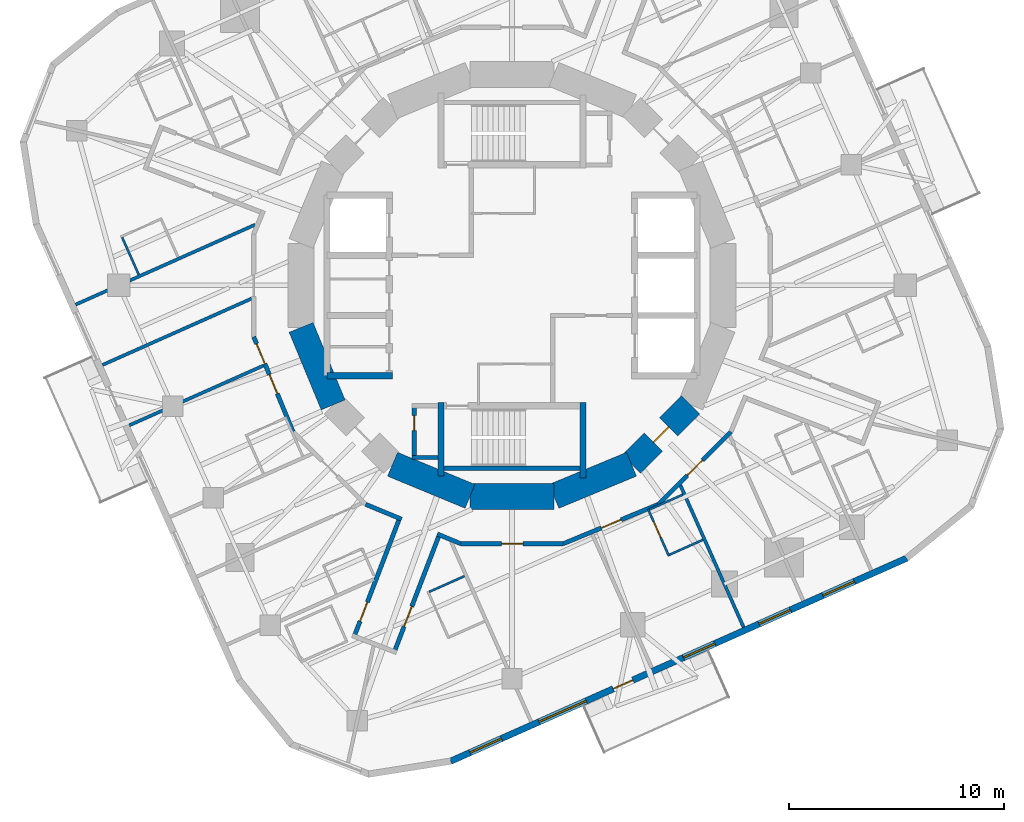
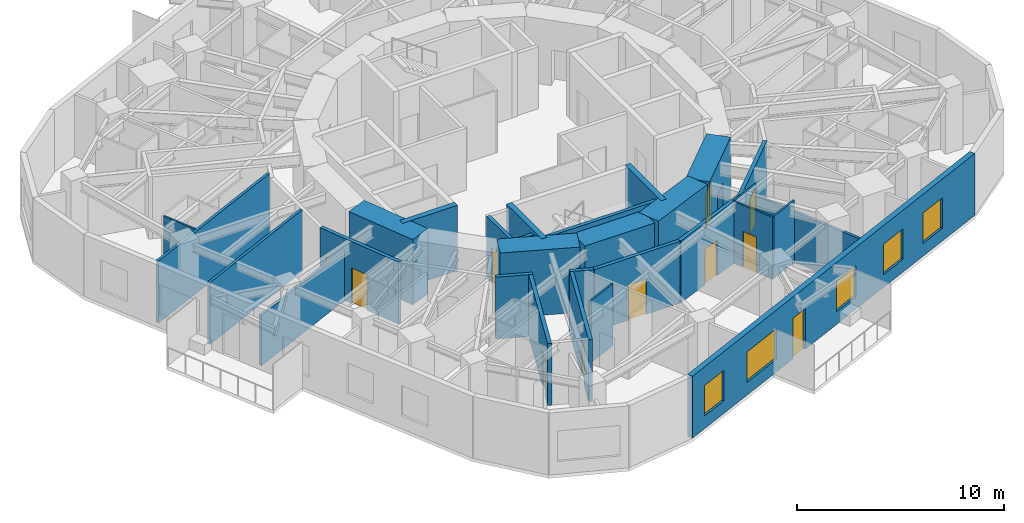
# One storey, part 5 of 12: 29 walls, 11 doors, 5 windows, 16 openings.
"""IFC4 building model written with IfcOpenShell, lengths in metres."""

from ifc_helpers import new_model, si_unit, direction, frame, frame_2d, origin, place, context, subcontext, project, spatial, rectangle, extrude, material, layer, layer_set, type_object, element, fill, save


model = new_model("IFC4")

# Units and contexts
model_context = context("Model", 3, precision=1e-05, world=origin(), true_north=direction((0.0, 1.0)))
body_context = subcontext(model_context, "Body", "Model", "MODEL_VIEW")
ifc_project = project(units=[si_unit("LENGTHUNIT", "METRE"), si_unit("AREAUNIT", "SQUARE_METRE"), si_unit("VOLUMEUNIT", "CUBIC_METRE"), si_unit("PLANEANGLEUNIT", "RADIAN"), si_unit("MASSUNIT", "GRAM", prefix="KILO")], contexts=[model_context])

# Site, building, storey
site_placement = place(None, origin())
site = spatial("IfcSite", under=ifc_project, at=site_placement, CompositionType="ELEMENT")
building_placement = place(site_placement, origin())
building = spatial("IfcBuilding", under=site, at=building_placement, Name="Nakasero Lantern House", CompositionType="ELEMENT")
storey_placement = place(building_placement, frame((0.0, 0.0, 201.699951171875)))
storey = spatial("IfcBuildingStorey", under=building, at=storey_placement, Name="L49", CompositionType="ELEMENT", Elevation=201.699951171875)

# Walls
ifc_material_1 = material(Name="Concrete C50/60", Category="concrete")
ifc_layer_1 = layer(ifc_material_1, 0.300048828125)
ifc_layer_set_1 = layer_set([ifc_layer_1], Name="Core inner wall 300")
wall_type_1 = type_object("IfcWallType", Name="Core inner wall 300", PredefinedType="SHEAR", material=ifc_layer_set_1)
wall_1_placement = place(storey_placement, frame((-8.60009765625, -4.199951171875, 0.0), z_axis=(0.0, 0.0, 1.0), x_axis=(1.0, 0.0, 0.0)))
element("IfcWall", 1, at=wall_1_placement, inside=storey, type_object=wall_type_1, Name="Core inner wall L49 LWS", PredefinedType="SHEAR", context=body_context, shape_type="SweptSolid", body=[
    extrude(rectangle(XDim=3.050048828125, YDim=0.300048828125, at=frame_2d((1.52490234375, 0.0))), origin(), (0.0, 0.0, 1.0), 3.85009765625),
])
wall_2_placement = place(storey_placement, frame((-3.300048828125, -5.449951171875, 0.0), z_axis=(0.0, 0.0, 1.0), x_axis=(0.0, -1.0, 0.0)))
element("IfcWall", 2, at=wall_2_placement, inside=storey, type_object=wall_type_1, Name="Core inner wall L49 SSW", PredefinedType="SHEAR", context=body_context, shape_type="SweptSolid", body=[
    extrude(rectangle(XDim=3.400146484375, YDim=0.300048828125, at=frame_2d((1.7001953125, 0.0))), origin(), (0.0, 0.0, 1.0), 3.85009765625),
])
wall_3_placement = place(storey_placement, frame((3.300048828125, -5.449951171875, 0.0), z_axis=(0.0, 0.0, 1.0), x_axis=(0.0, -1.0, 0.0)))
element("IfcWall", 3, at=wall_3_placement, inside=storey, type_object=wall_type_1, Name="Core inner wall L49 SSE", PredefinedType="SHEAR", context=body_context, shape_type="SweptSolid", body=[
    extrude(rectangle(XDim=3.5, YDim=0.300048828125, at=frame_2d((1.75, 0.0))), origin(), (0.0, 0.0, 1.0), 3.85009765625),
])
ifc_material_2 = material(Name="Concrete C50/60", Category="concrete")
ifc_layer_2 = layer(ifc_material_2, 1.199951171875)
ifc_layer_set_2 = layer_set([ifc_layer_2], Name="Core wall 1200")
wall_type_2 = type_object("IfcWallType", Name="Core wall 1200", PredefinedType="SHEAR", material=ifc_layer_set_2)
for number, where, z_axis, x_axis, name in (
    (4, (-9.807861328125, -1.950927734375, 0.0), (0.0, 0.0, 1.0), (0.382690736062, -0.923876507187, 0.0), "Core wall L49 facet 9"),
    (5, (-5.5556640625, -8.314697265625, 0.0), (0.0, 0.0, 1.0), (0.923876507187, -0.382690736062, 0.0), "Core wall L49 facet 11"),
    (6, (-1.950927734375, -9.807861328125, 0.0), (0.0, 0.0, 1.0), (1.0, 0.0, 0.0), "Core wall L49 facet 12"),
    (7, (1.950927734375, -9.807861328125, 0.0), (0.0, 0.0, 1.0), (0.923876507187, 0.382690736062, 0.0), "Core wall L49 facet 13"),
):
    element("IfcWall", number, at=place(storey_placement, frame(where, z_axis=z_axis, x_axis=x_axis)), inside=storey, type_object=wall_type_2, Name=name, PredefinedType="SHEAR", context=body_context, shape_type="SweptSolid", body=[
        extrude(rectangle(XDim=3.90185546875, YDim=1.199951171875, at=frame_2d((1.950927734375, 0.0))), origin(), (0.0, 0.0, 1.0), 3.85009765625),
    ])

# Wall, opening, door
wall_4_placement = place(storey_placement, frame((5.5556640625, -8.314697265625, 0.0), z_axis=(0.0, 0.0, 1.0), x_axis=(0.707106781187, 0.707106781187, 0.0)))
wall_4 = element("IfcWall", 8, at=wall_4_placement, inside=storey, type_object=wall_type_2, Name="Core wall L49 facet 14", PredefinedType="SHEAR", context=body_context, shape_type="SweptSolid", body=[
    extrude(rectangle(XDim=3.90185546875, YDim=1.199951171875, at=frame_2d((1.950927734375, 0.0))), origin(), (0.0, 0.0, 1.0), 3.85009765625),
])
opening_1_placement = place(wall_4_placement, frame((1.450927734375, 0.0, 0.0)))
opening_1 = element("IfcOpeningElement", 9, at=opening_1_placement, cuts=wall_4, Name="Opening D05", PredefinedType="OPENING", context=body_context, shape_type="SweptSolid", body=[
    extrude(rectangle(XDim=1.0, YDim=2.10009765625, at=frame_2d((0.5, 1.050048828125))), frame((0.0, 0.619873046875, 0.0), z_axis=(0.0, -1.0, 0.0), x_axis=(1.0, 0.0, 0.0)), (0.0, 0.0, 1.0), 1.239990234375),
])
ifc_material_3 = material(Name="Timber C24", Category="wood")
door_type_1 = type_object("IfcDoorType", Name="Core door FD60S 1000", OperationType="SINGLE_SWING_LEFT", PredefinedType="DOOR", material=ifc_material_3)
door_1_placement = place(opening_1_placement, origin())
door_1 = element("IfcDoor", 10, at=door_1_placement, inside=storey, type_object=door_type_1, Name="Door L49 D-CORE14", OperationType="SINGLE_SWING_LEFT", OverallHeight=2.10009765625, OverallWidth=1.0, PredefinedType="DOOR", context=body_context, shape_type="SweptSolid", body=[
    extrude(rectangle(XDim=1.0, YDim=2.10009765625, at=frame_2d((0.5, 1.050048828125))), frame((0.0, 0.02490234375, 0.0), z_axis=(0.0, -1.0, 0.0), x_axis=(1.0, 0.0, 0.0)), (0.0, 0.0, 1.0), 0.050048828125),
])
fill(opening_1, door_1)

ifc_material_4 = material(Name="Blockwork", Category="masonry")
ifc_layer_3 = layer(ifc_material_4, 0.199951171875)
ifc_layer_set_3 = layer_set([ifc_layer_3], Name="Corridor wall 200")
wall_type_3 = type_object("IfcWallType", Name="Corridor wall 200", PredefinedType="PARTITIONING", material=ifc_layer_set_3)
wall_5_placement = place(storey_placement, frame((10.1796875, -6.802001953125, 0.0), z_axis=(0.0, 0.0, 1.0), x_axis=(-0.707106781187, -0.707106781187, 0.0)))
wall_5 = element("IfcWall", 11, at=wall_5_placement, inside=storey, type_object=wall_type_3, Name="Corridor wall L49 RC02a", PredefinedType="PARTITIONING", context=body_context, shape_type="SweptSolid", body=[
    extrude(rectangle(XDim=4.77685546875, YDim=0.199951171875, at=frame_2d((2.388427734375, 0.0))), origin(), (0.0, 0.0, 1.0), 3.650146484375),
])
opening_2_placement = place(wall_5_placement, frame((1.8701171875, 0.0, 0.0)))
opening_2 = element("IfcOpeningElement", 12, at=opening_2_placement, cuts=wall_5, Name="Opening D14", PredefinedType="OPENING", context=body_context, shape_type="SweptSolid", body=[
    extrude(rectangle(XDim=1.0, YDim=2.10009765625, at=frame_2d((0.5, 1.050048828125))), frame((0.0, 0.119873046875, 0.0), z_axis=(0.0, -1.0, 0.0), x_axis=(1.0, 0.0, 0.0)), (0.0, 0.0, 1.0), 0.239990234375),
])
ifc_material_5 = material(Name="Timber C24", Category="wood")
door_type_2 = type_object("IfcDoorType", Name="Cluster entrance door FD30S 1000", OperationType="SINGLE_SWING_LEFT", PredefinedType="DOOR", material=ifc_material_5)
door_2_placement = place(opening_2_placement, origin())
door_2 = element("IfcDoor", 13, at=door_2_placement, inside=storey, type_object=door_type_2, Name="Door L49 D3-04", OperationType="SINGLE_SWING_LEFT", OverallHeight=2.10009765625, OverallWidth=1.0, PredefinedType="DOOR", context=body_context, shape_type="SweptSolid", body=[
    extrude(rectangle(XDim=1.0, YDim=2.10009765625, at=frame_2d((0.5, 1.050048828125))), frame((0.0, 0.02490234375, 0.0), z_axis=(0.0, -1.0, 0.0), x_axis=(1.0, 0.0, 0.0)), (0.0, 0.0, 1.0), 0.050048828125),
])
fill(opening_2, door_2)

wall_6_placement = place(storey_placement, frame((6.802001953125, -10.1796875, 0.0), z_axis=(0.0, 0.0, 1.0), x_axis=(-0.923882292998, -0.382676767893, 0.0)))
wall_6 = element("IfcWall", 14, at=wall_6_placement, inside=storey, type_object=wall_type_3, Name="Corridor wall L49 RC03a", PredefinedType="PARTITIONING", context=body_context, shape_type="SweptSolid", body=[
    extrude(rectangle(XDim=4.777099609375, YDim=0.199951171875, at=frame_2d((2.388671875, 0.0))), origin(), (0.0, 0.0, 1.0), 3.650146484375),
])
opening_3_placement = place(wall_6_placement, frame((1.8701171875, 0.0, 0.0)))
opening_3 = element("IfcOpeningElement", 15, at=opening_3_placement, cuts=wall_6, Name="Opening D07", PredefinedType="OPENING", context=body_context, shape_type="SweptSolid", body=[
    extrude(rectangle(XDim=1.0, YDim=2.10009765625, at=frame_2d((0.5, 1.050048828125))), frame((0.0, 0.119873046875, 0.0), z_axis=(0.0, -1.0, 0.0), x_axis=(1.0, 0.0, 0.0)), (0.0, 0.0, 1.0), 0.239990234375),
])
ifc_material_6 = material(Name="Timber C24", Category="wood")
door_type_3 = type_object("IfcDoorType", Name="Room door FD30S 1000", OperationType="SINGLE_SWING_LEFT", PredefinedType="DOOR", material=ifc_material_6)
door_3_placement = place(opening_3_placement, origin())
door_3 = element("IfcDoor", 16, at=door_3_placement, inside=storey, type_object=door_type_3, Name="Door L49 D3-03", OperationType="SINGLE_SWING_LEFT", OverallHeight=2.10009765625, OverallWidth=1.0, PredefinedType="DOOR", context=body_context, shape_type="SweptSolid", body=[
    extrude(rectangle(XDim=1.0, YDim=2.10009765625, at=frame_2d((0.5, 1.050048828125))), frame((0.0, 0.02490234375, 0.0), z_axis=(0.0, -1.0, 0.0), x_axis=(1.0, 0.0, 0.0)), (0.0, 0.0, 1.0), 0.050048828125),
])
fill(opening_3, door_3)

wall_7_placement = place(storey_placement, frame((2.388427734375, -12.0078125, 0.0), z_axis=(0.0, 0.0, 1.0), x_axis=(-1.0, 0.0, 0.0)))
wall_7 = element("IfcWall", 17, at=wall_7_placement, inside=storey, type_object=wall_type_3, Name="Corridor wall L49 RC04a", PredefinedType="PARTITIONING", context=body_context, shape_type="SweptSolid", body=[
    extrude(rectangle(XDim=4.77685546875, YDim=0.199951171875, at=frame_2d((2.388427734375, 0.0))), origin(), (0.0, 0.0, 1.0), 3.650146484375),
])
opening_4_placement = place(wall_7_placement, frame((1.8701171875, 0.0, 0.0)))
opening_4 = element("IfcOpeningElement", 18, at=opening_4_placement, cuts=wall_7, Name="Opening D03", PredefinedType="OPENING", context=body_context, shape_type="SweptSolid", body=[
    extrude(rectangle(XDim=1.0, YDim=2.10009765625, at=frame_2d((0.5, 1.050048828125))), frame((0.0, 0.119873046875, 0.0), z_axis=(0.0, -1.0, 0.0), x_axis=(1.0, 0.0, 0.0)), (0.0, 0.0, 1.0), 0.239990234375),
])
ifc_material_7 = material(Name="Timber C24", Category="wood")
door_type_4 = type_object("IfcDoorType", Name="Lounge door FD30S 1000", OperationType="SINGLE_SWING_LEFT", PredefinedType="DOOR", material=ifc_material_7)
door_4_placement = place(opening_4_placement, origin())
door_4 = element("IfcDoor", 19, at=door_4_placement, inside=storey, type_object=door_type_4, Name="Door L49 DK3", OperationType="SINGLE_SWING_LEFT", OverallHeight=2.10009765625, OverallWidth=1.0, PredefinedType="DOOR", context=body_context, shape_type="SweptSolid", body=[
    extrude(rectangle(XDim=1.0, YDim=2.10009765625, at=frame_2d((0.5, 1.050048828125))), frame((0.0, 0.02490234375, 0.0), z_axis=(0.0, -1.0, 0.0), x_axis=(1.0, 0.0, 0.0)), (0.0, 0.0, 1.0), 0.050048828125),
])
fill(opening_4, door_4)

# Walls
wall_8_placement = place(storey_placement, frame((-2.388427734375, -12.0078125, 0.0), z_axis=(0.0, 0.0, 1.0), x_axis=(-0.923874873612, 0.382694679749, 0.0)))
element("IfcWall", 20, at=wall_8_placement, inside=storey, type_object=wall_type_3, Name="Corridor wall L49 RC05a", PredefinedType="PARTITIONING", context=body_context, shape_type="SweptSolid", body=[
    extrude(rectangle(XDim=1.173828125, YDim=0.199951171875, at=frame_2d((0.5869140625, 0.0))), origin(), (0.0, 0.0, 1.0), 3.650146484375),
])
wall_9_placement = place(storey_placement, frame((-5.136474609375, -10.86962890625, 0.0), z_axis=(0.0, 0.0, 1.0), x_axis=(-0.923868276622, 0.382710605355, 0.0)))
element("IfcWall", 21, at=wall_9_placement, inside=storey, type_object=wall_type_3, Name="Corridor wall L49 RC05b", PredefinedType="PARTITIONING", context=body_context, shape_type="SweptSolid", body=[
    extrude(rectangle(XDim=1.802734375, YDim=0.199951171875, at=frame_2d((0.9013671875, 0.0))), origin(), (0.0, 0.0, 1.0), 3.650146484375),
])

# Wall, openings, doors
wall_10_placement = place(storey_placement, frame((-10.1796875, -6.802001953125, 0.0), z_axis=(0.0, 0.0, 1.0), x_axis=(-0.382676767893, 0.923882292998, 0.0)))
wall_10 = element("IfcWall", 22, at=wall_10_placement, inside=storey, type_object=wall_type_3, Name="Corridor wall L49 RC07a", PredefinedType="PARTITIONING", context=body_context, shape_type="SweptSolid", body=[
    extrude(rectangle(XDim=4.777099609375, YDim=0.199951171875, at=frame_2d((2.388671875, 0.0))), origin(), (0.0, 0.0, 1.0), 3.650146484375),
])
opening_5_placement = place(wall_10_placement, frame((1.919921875, 0.0, 0.0)))
opening_5 = element("IfcOpeningElement", 23, at=opening_5_placement, cuts=wall_10, Name="Opening D01", PredefinedType="OPENING", context=body_context, shape_type="SweptSolid", body=[
    extrude(rectangle(XDim=0.949951171875, YDim=2.10009765625, at=frame_2d((0.47509765625, 1.050048828125))), frame((0.0, 0.119873046875, 0.0), z_axis=(0.0, -1.0, 0.0), x_axis=(1.0, 0.0, 0.0)), (0.0, 0.0, 1.0), 0.239990234375),
])
opening_6_placement = place(wall_10_placement, frame((3.419921875, 0.0, 0.0)))
opening_6 = element("IfcOpeningElement", 24, at=opening_6_placement, cuts=wall_10, Name="Opening D03", PredefinedType="OPENING", context=body_context, shape_type="SweptSolid", body=[
    extrude(rectangle(XDim=1.0, YDim=2.10009765625, at=frame_2d((0.5, 1.050048828125))), frame((0.0, 0.119873046875, 0.0), z_axis=(0.0, -1.0, 0.0), x_axis=(1.0, 0.0, 0.0)), (0.0, 0.0, 1.0), 0.239990234375),
])
ifc_material_8 = material(Name="Timber C24", Category="wood")
door_type_5 = type_object("IfcDoorType", Name="Bedroom door FD30S 950", OperationType="SINGLE_SWING_LEFT", PredefinedType="DOOR", material=ifc_material_8)
door_5_placement = place(opening_5_placement, origin())
door_5 = element("IfcDoor", 25, at=door_5_placement, inside=storey, type_object=door_type_5, Name="Door L49 D2-03", OperationType="SINGLE_SWING_RIGHT", OverallHeight=2.10009765625, OverallWidth=0.949951171875, PredefinedType="DOOR", context=body_context, shape_type="SweptSolid", body=[
    extrude(rectangle(XDim=0.949951171875, YDim=2.10009765625, at=frame_2d((0.47509765625, 1.050048828125))), frame((0.0, 0.02490234375, 0.0), z_axis=(0.0, -1.0, 0.0), x_axis=(1.0, 0.0, 0.0)), (0.0, 0.0, 1.0), 0.050048828125),
])
fill(opening_5, door_5)
door_6_placement = place(opening_6_placement, origin())
door_6 = element("IfcDoor", 26, at=door_6_placement, inside=storey, type_object=door_type_4, Name="Door L49 DK2-1", OperationType="SINGLE_SWING_RIGHT", OverallHeight=2.10009765625, OverallWidth=1.0, PredefinedType="DOOR", context=body_context, shape_type="SweptSolid", body=[
    extrude(rectangle(XDim=1.0, YDim=2.10009765625, at=frame_2d((0.5, 1.050048828125))), frame((0.0, 0.02490234375, 0.0), z_axis=(0.0, -1.0, 0.0), x_axis=(1.0, 0.0, 0.0)), (0.0, 0.0, 1.0), 0.050048828125),
])
fill(opening_6, door_6)

# Wall, opening, door
wall_11_placement = place(storey_placement, frame((-5.22900390625, -10.831298828125, 0.0), z_axis=(0.0, 0.0, 1.0), x_axis=(-0.358357154711, -0.933584570174, 0.0)))
wall_11 = element("IfcWall", 27, at=wall_11_placement, inside=storey, type_object=wall_type_3, Name="Corridor wall L49 SP2a", PredefinedType="PARTITIONING", context=body_context, shape_type="SweptSolid", body=[
    extrude(rectangle(XDim=5.97216796875, YDim=0.199951171875, at=frame_2d((2.986083984375, 0.0))), origin(), (0.0, 0.0, 1.0), 3.650146484375),
])
opening_7_placement = place(wall_11_placement, frame((4.169921875, 0.0, 0.0)))
opening_7 = element("IfcOpeningElement", 28, at=opening_7_placement, cuts=wall_11, Name="Opening D01", PredefinedType="OPENING", context=body_context, shape_type="SweptSolid", body=[
    extrude(rectangle(XDim=0.949951171875, YDim=2.10009765625, at=frame_2d((0.47509765625, 1.050048828125))), frame((0.0, 0.119873046875, 0.0), z_axis=(0.0, -1.0, 0.0), x_axis=(1.0, 0.0, 0.0)), (0.0, 0.0, 1.0), 0.239990234375),
])
door_7_placement = place(opening_7_placement, origin())
door_7 = element("IfcDoor", 29, at=door_7_placement, inside=storey, type_object=door_type_5, Name="Door L49 D2-06", OperationType="SINGLE_SWING_RIGHT", OverallHeight=2.10009765625, OverallWidth=0.949951171875, PredefinedType="DOOR", context=body_context, shape_type="SweptSolid", body=[
    extrude(rectangle(XDim=0.949951171875, YDim=2.10009765625, at=frame_2d((0.47509765625, 1.050048828125))), frame((0.0, 0.02490234375, 0.0), z_axis=(0.0, -1.0, 0.0), x_axis=(1.0, 0.0, 0.0)), (0.0, 0.0, 1.0), 0.050048828125),
])
fill(opening_7, door_7)

wall_12_placement = place(storey_placement, frame((-3.380615234375, -11.596923828125, 0.0), z_axis=(0.0, 0.0, 1.0), x_axis=(-0.358362690674, -0.933582445172, 0.0)))
wall_12 = element("IfcWall", 30, at=wall_12_placement, inside=storey, type_object=wall_type_3, Name="Corridor wall L49 SP2b", PredefinedType="PARTITIONING", context=body_context, shape_type="SweptSolid", body=[
    extrude(rectangle(XDim=5.91943359375, YDim=0.199951171875, at=frame_2d((2.959716796875, 0.0))), origin(), (0.0, 0.0, 1.0), 3.650146484375),
])
opening_8_placement = place(wall_12_placement, frame((3.570068359375, 0.0, 0.0)))
opening_8 = element("IfcOpeningElement", 31, at=opening_8_placement, cuts=wall_12, Name="Opening D07", PredefinedType="OPENING", context=body_context, shape_type="SweptSolid", body=[
    extrude(rectangle(XDim=1.0, YDim=2.10009765625, at=frame_2d((0.5, 1.050048828125))), frame((0.0, 0.119873046875, 0.0), z_axis=(0.0, -1.0, 0.0), x_axis=(1.0, 0.0, 0.0)), (0.0, 0.0, 1.0), 0.239990234375),
])
door_8_placement = place(opening_8_placement, origin())
door_8 = element("IfcDoor", 32, at=door_8_placement, inside=storey, type_object=door_type_3, Name="Door L49 D3-00", OperationType="SINGLE_SWING_RIGHT", OverallHeight=2.10009765625, OverallWidth=1.0, PredefinedType="DOOR", context=body_context, shape_type="SweptSolid", body=[
    extrude(rectangle(XDim=1.0, YDim=2.10009765625, at=frame_2d((0.5, 1.050048828125))), frame((0.0, 0.02490234375, 0.0), z_axis=(0.0, -1.0, 0.0), x_axis=(1.0, 0.0, 0.0)), (0.0, 0.0, 1.0), 0.050048828125),
])
fill(opening_8, door_8)

# Walls
ifc_material_9 = material(Name="Blockwork", Category="masonry")
ifc_layer_4 = layer(ifc_material_9, 0.10009765625)
ifc_layer_set_4 = layer_set([ifc_layer_4], Name="En-suite wall 100")
wall_type_4 = type_object("IfcWallType", Name="En-suite wall 100", PredefinedType="PARTITIONING", material=ifc_layer_set_4)
wall_13_placement = place(storey_placement, frame((-18.12451171875, 2.2314453125, 0.0), z_axis=(0.0, 0.0, 1.0), x_axis=(0.406674880245, -0.913572953725, 0.0)))
element("IfcWall", 33, at=wall_13_placement, inside=storey, type_object=wall_type_4, Name="En-suite wall L49 EE2-00", PredefinedType="PARTITIONING", context=body_context, shape_type="SweptSolid", body=[
    extrude(rectangle(XDim=1.900146484375, YDim=0.10009765625, at=frame_2d((0.9501953125, 0.0))), origin(), (0.0, 0.0, 1.0), 3.650146484375),
])
wall_14_placement = place(storey_placement, frame((-3.84814453125, -14.246826171875, 0.0), z_axis=(0.0, 0.0, 1.0), x_axis=(0.913576462288, 0.406666998358, 0.0)))
element("IfcWall", 34, at=wall_14_placement, inside=storey, type_object=wall_type_4, Name="En-suite wall L49 EI3-00", PredefinedType="PARTITIONING", context=body_context, shape_type="SweptSolid", body=[
    extrude(rectangle(XDim=1.7998046875, YDim=0.10009765625, at=frame_2d((0.89990234375, 0.0))), origin(), (0.0, 0.0, 1.0), 3.650146484375),
])

# Wall, opening, door
wall_15_placement = place(storey_placement, frame((6.32177734375, -10.39404296875, 0.0), z_axis=(0.0, 0.0, 1.0), x_axis=(0.406685806039, -0.913568090055, 0.0)))
wall_15 = element("IfcWall", 35, at=wall_15_placement, inside=storey, type_object=wall_type_4, Name="En-suite wall L49 ES3-03", PredefinedType="PARTITIONING", context=body_context, shape_type="SweptSolid", body=[
    extrude(rectangle(XDim=2.400146484375, YDim=0.10009765625, at=frame_2d((1.2001953125, 0.0))), origin(), (0.0, 0.0, 1.0), 3.650146484375),
])
opening_9_placement = place(wall_15_placement, frame((0.64990234375, 0.0, 0.0)))
opening_9 = element("IfcOpeningElement", 36, at=opening_9_placement, cuts=wall_15, Name="Opening D15", PredefinedType="OPENING", context=body_context, shape_type="SweptSolid", body=[
    extrude(rectangle(XDim=0.800048828125, YDim=2.10009765625, at=frame_2d((0.39990234375, 1.050048828125))), frame((0.0, 0.070068359375, 0.0), z_axis=(0.0, -1.0, 0.0), x_axis=(1.0, 0.0, 0.0)), (0.0, 0.0, 1.0), 0.14013671875),
])
ifc_material_10 = material(Name="Timber C24", Category="wood")
door_type_6 = type_object("IfcDoorType", Name="Cleaner's store door FD30S 800", OperationType="SINGLE_SWING_LEFT", PredefinedType="DOOR", material=ifc_material_10)
door_9_placement = place(opening_9_placement, origin())
door_9 = element("IfcDoor", 37, at=door_9_placement, inside=storey, type_object=door_type_6, Name="Door L49 DE3-03", OperationType="SINGLE_SWING_LEFT", OverallHeight=2.10009765625, OverallWidth=0.800048828125, PredefinedType="DOOR", context=body_context, shape_type="SweptSolid", body=[
    extrude(rectangle(XDim=0.800048828125, YDim=2.10009765625, at=frame_2d((0.39990234375, 1.050048828125))), frame((0.0, 0.02490234375, 0.0), z_axis=(0.0, -1.0, 0.0), x_axis=(1.0, 0.0, 0.0)), (0.0, 0.0, 1.0), 0.050048828125),
])
fill(opening_9, door_9)

# Walls
for number, where, z_axis, x_axis, name in (
    (38, (7.3232421875, -12.5205078125, 0.0), (0.0, 0.0, 1.0), (0.913550776237, 0.406724697108, 0.0), "En-suite wall L49 EE3-03"),
    (39, (6.3876953125, -10.41943359375, 0.0), (0.0, 0.0, 1.0), (0.913550776237, 0.406724697108, 0.0), "En-suite wall L49 EI3-03"),
):
    element("IfcWall", number, at=place(storey_placement, frame(where, z_axis=z_axis, x_axis=x_axis)), inside=storey, type_object=wall_type_4, Name=name, PredefinedType="PARTITIONING", context=body_context, shape_type="SweptSolid", body=[
        extrude(rectangle(XDim=1.699951171875, YDim=0.10009765625, at=frame_2d((0.85009765625, 0.0))), origin(), (0.0, 0.0, 1.0), 3.650146484375),
    ])

# Wall, openings, door, windows
ifc_material_11 = material(Name="Aluminium rainscreen on blockwork", Category="masonry")
ifc_layer_5 = layer(ifc_material_11, 0.300048828125)
ifc_layer_set_5 = layer_set([ifc_layer_5], Name="Facade wall 300")
wall_type_5 = type_object("IfcWallType", Name="Facade wall 300", PredefinedType="SOLIDWALL", material=ifc_layer_set_5)
wall_16_placement = place(storey_placement, frame((-2.848876953125, -22.12109375, 0.0), z_axis=(0.0, 0.0, 1.0), x_axis=(0.913546210851, 0.406734951338, 0.0)))
wall_16 = element("IfcWall", 40, at=wall_16_placement, inside=storey, type_object=wall_type_5, Name="Facade wall L49 FW3S", PredefinedType="SOLIDWALL", context=body_context, shape_type="SweptSolid", body=[
    extrude(rectangle(XDim=23.199951171875, YDim=0.300048828125, at=frame_2d((11.60009765625, 0.0))), origin(), (0.0, 0.0, 1.0), 3.650146484375),
])
opening_10_placement = place(wall_16_placement, frame((0.982421875, 0.0, 0.75)))
opening_10 = element("IfcOpeningElement", 41, at=opening_10_placement, cuts=wall_16, Name="Opening W01", PredefinedType="OPENING", context=body_context, shape_type="SweptSolid", body=[
    extrude(rectangle(XDim=1.60009765625, YDim=1.800048828125, at=frame_2d((0.800048828125, 0.89990234375))), frame((0.0, 0.169921875, 0.0), z_axis=(0.0, -1.0, 0.0), x_axis=(1.0, 0.0, 0.0)), (0.0, 0.0, 1.0), 0.340087890625),
])
opening_11_placement = place(wall_16_placement, frame((11.83984375, 0.0, 0.75)))
opening_11 = element("IfcOpeningElement", 42, at=opening_11_placement, cuts=wall_16, Name="Opening W01", PredefinedType="OPENING", context=body_context, shape_type="SweptSolid", body=[
    extrude(rectangle(XDim=1.60009765625, YDim=1.800048828125, at=frame_2d((0.800048828125, 0.89990234375))), frame((0.0, 0.169921875, 0.0), z_axis=(0.0, -1.0, 0.0), x_axis=(1.0, 0.0, 0.0)), (0.0, 0.0, 1.0), 0.340087890625),
])
opening_12_placement = place(wall_16_placement, frame((15.69140625, 0.0, 0.75)))
opening_12 = element("IfcOpeningElement", 43, at=opening_12_placement, cuts=wall_16, Name="Opening W01", PredefinedType="OPENING", context=body_context, shape_type="SweptSolid", body=[
    extrude(rectangle(XDim=1.60009765625, YDim=1.800048828125, at=frame_2d((0.800048828125, 0.89990234375))), frame((0.0, 0.169921875, 0.0), z_axis=(0.0, -1.0, 0.0), x_axis=(1.0, 0.0, 0.0)), (0.0, 0.0, 1.0), 0.340087890625),
])
opening_13_placement = place(wall_16_placement, frame((18.940185546875, 0.0, 0.75)))
opening_13 = element("IfcOpeningElement", 44, at=opening_13_placement, cuts=wall_16, Name="Opening W01", PredefinedType="OPENING", context=body_context, shape_type="SweptSolid", body=[
    extrude(rectangle(XDim=1.60009765625, YDim=1.800048828125, at=frame_2d((0.800048828125, 0.89990234375))), frame((0.0, 0.169921875, 0.0), z_axis=(0.0, -1.0, 0.0), x_axis=(1.0, 0.0, 0.0)), (0.0, 0.0, 1.0), 0.340087890625),
])
opening_14_placement = place(wall_16_placement, frame((4.500244140625, 0.0, 0.75)))
opening_14 = element("IfcOpeningElement", 45, at=opening_14_placement, cuts=wall_16, Name="Opening W03", PredefinedType="OPENING", context=body_context, shape_type="SweptSolid", body=[
    extrude(rectangle(XDim=2.39990234375, YDim=1.800048828125, at=frame_2d((1.199951171875, 0.89990234375))), frame((0.0, 0.169921875, 0.0), z_axis=(0.0, -1.0, 0.0), x_axis=(1.0, 0.0, 0.0)), (0.0, 0.0, 1.0), 0.340087890625),
])
opening_15_placement = place(wall_16_placement, frame((8.271484375, 0.0, 0.0)))
opening_15 = element("IfcOpeningElement", 46, at=opening_15_placement, cuts=wall_16, Name="Opening D04", PredefinedType="OPENING", context=body_context, shape_type="SweptSolid", body=[
    extrude(rectangle(XDim=1.0, YDim=2.39990234375, at=frame_2d((0.5, 1.199951171875))), frame((0.0, 0.169921875, 0.0), z_axis=(0.0, -1.0, 0.0), x_axis=(1.0, 0.0, 0.0)), (0.0, 0.0, 1.0), 0.340087890625),
])
ifc_material_12 = material(Name="Aluminium 6063-T6 and glass", Category="aluminium")
door_type_7 = type_object("IfcDoorType", Name="Balcony door 1000x2400", OperationType="SINGLE_SWING_RIGHT", PredefinedType="DOOR", material=ifc_material_12)
door_10_placement = place(opening_15_placement, origin())
door_10 = element("IfcDoor", 47, at=door_10_placement, inside=storey, type_object=door_type_7, Name="Balcony door L49 DB3", OperationType="SINGLE_SWING_RIGHT", OverallHeight=2.39990234375, OverallWidth=1.0, PredefinedType="DOOR", context=body_context, shape_type="SweptSolid", body=[
    extrude(rectangle(XDim=1.0, YDim=2.39990234375, at=frame_2d((0.5, 1.199951171875))), frame((0.0, 0.02490234375, 0.0), z_axis=(0.0, -1.0, 0.0), x_axis=(1.0, 0.0, 0.0)), (0.0, 0.0, 1.0), 0.050048828125),
])
fill(opening_15, door_10)
ifc_material_13 = material(Name="Aluminium 6063-T6 and glass", Category="aluminium")
window_type_1 = type_object("IfcWindowType", Name="Bedroom window 1600x1800", PartitioningType="SINGLE_PANEL", PredefinedType="WINDOW", material=ifc_material_13)
window_1_placement = place(opening_10_placement, origin())
window_1 = element("IfcWindow", 48, at=window_1_placement, inside=storey, type_object=window_type_1, Name="Window L49 WN3-00", OverallHeight=1.800048828125, OverallWidth=1.60009765625, PartitioningType="SINGLE_PANEL", PredefinedType="WINDOW", context=body_context, shape_type="SweptSolid", body=[
    extrude(rectangle(XDim=1.60009765625, YDim=1.800048828125, at=frame_2d((0.800048828125, 0.89990234375))), frame((0.0, 0.030029296875, 0.0), z_axis=(0.0, -1.0, 0.0), x_axis=(1.0, 0.0, 0.0)), (0.0, 0.0, 1.0), 0.06005859375),
])
fill(opening_10, window_1)
window_2_placement = place(opening_11_placement, origin())
window_2 = element("IfcWindow", 49, at=window_2_placement, inside=storey, type_object=window_type_1, Name="Window L49 WN3-03", OverallHeight=1.800048828125, OverallWidth=1.60009765625, PartitioningType="SINGLE_PANEL", PredefinedType="WINDOW", context=body_context, shape_type="SweptSolid", body=[
    extrude(rectangle(XDim=1.60009765625, YDim=1.800048828125, at=frame_2d((0.800048828125, 0.89990234375))), frame((0.0, 0.030029296875, 0.0), z_axis=(0.0, -1.0, 0.0), x_axis=(1.0, 0.0, 0.0)), (0.0, 0.0, 1.0), 0.06005859375),
])
fill(opening_11, window_2)
window_3_placement = place(opening_12_placement, origin())
window_3 = element("IfcWindow", 50, at=window_3_placement, inside=storey, type_object=window_type_1, Name="Window L49 WN3-04", OverallHeight=1.800048828125, OverallWidth=1.60009765625, PartitioningType="SINGLE_PANEL", PredefinedType="WINDOW", context=body_context, shape_type="SweptSolid", body=[
    extrude(rectangle(XDim=1.60009765625, YDim=1.800048828125, at=frame_2d((0.800048828125, 0.89990234375))), frame((0.0, 0.030029296875, 0.0), z_axis=(0.0, -1.0, 0.0), x_axis=(1.0, 0.0, 0.0)), (0.0, 0.0, 1.0), 0.06005859375),
])
fill(opening_12, window_3)
window_4_placement = place(opening_13_placement, origin())
window_4 = element("IfcWindow", 51, at=window_4_placement, inside=storey, type_object=window_type_1, Name="Window L49 WN3-05", OverallHeight=1.800048828125, OverallWidth=1.60009765625, PartitioningType="SINGLE_PANEL", PredefinedType="WINDOW", context=body_context, shape_type="SweptSolid", body=[
    extrude(rectangle(XDim=1.60009765625, YDim=1.800048828125, at=frame_2d((0.800048828125, 0.89990234375))), frame((0.0, 0.030029296875, 0.0), z_axis=(0.0, -1.0, 0.0), x_axis=(1.0, 0.0, 0.0)), (0.0, 0.0, 1.0), 0.06005859375),
])
fill(opening_13, window_4)
ifc_material_14 = material(Name="Aluminium 6063-T6 and glass", Category="aluminium")
window_type_2 = type_object("IfcWindowType", Name="Lounge window 2400x1800", PartitioningType="SINGLE_PANEL", PredefinedType="WINDOW", material=ifc_material_14)
window_5_placement = place(opening_14_placement, origin())
window_5 = element("IfcWindow", 52, at=window_5_placement, inside=storey, type_object=window_type_2, Name="Window L49 WK3", OverallHeight=1.800048828125, OverallWidth=2.39990234375, PartitioningType="SINGLE_PANEL", PredefinedType="WINDOW", context=body_context, shape_type="SweptSolid", body=[
    extrude(rectangle(XDim=2.39990234375, YDim=1.800048828125, at=frame_2d((1.199951171875, 0.89990234375))), frame((0.0, 0.030029296875, 0.0), z_axis=(0.0, -1.0, 0.0), x_axis=(1.0, 0.0, 0.0)), (0.0, 0.0, 1.0), 0.06005859375),
])
fill(opening_14, window_5)

# Wall, opening, door
ifc_material_15 = material(Name="Blockwork", Category="masonry")
ifc_layer_6 = layer(ifc_material_15, 0.199951171875)
ifc_layer_set_6 = layer_set([ifc_layer_6], Name="Fire lobby wall 200")
wall_type_6 = type_object("IfcWallType", Name="Fire lobby wall 200", PredefinedType="PARTITIONING", material=ifc_layer_set_6)
wall_17_placement = place(storey_placement, frame((-4.550048828125, -5.60009765625, 0.0), z_axis=(0.0, 0.0, 1.0), x_axis=(0.0, -1.0, 0.0)))
wall_17 = element("IfcWall", 53, at=wall_17_placement, inside=storey, type_object=wall_type_6, Name="Fire lobby wall L49 W-RS2W", PredefinedType="PARTITIONING", context=body_context, shape_type="SweptSolid", body=[
    extrude(rectangle(XDim=2.39990234375, YDim=0.199951171875, at=frame_2d((1.199951171875, 0.0))), origin(), (0.0, 0.0, 1.0), 3.650146484375),
])
opening_16_placement = place(wall_17_placement, frame((0.449951171875, 0.0, 0.0)))
opening_16 = element("IfcOpeningElement", 54, at=opening_16_placement, cuts=wall_17, Name="Opening D06", PredefinedType="OPENING", context=body_context, shape_type="SweptSolid", body=[
    extrude(rectangle(XDim=0.699951171875, YDim=2.10009765625, at=frame_2d((0.35009765625, 1.050048828125))), frame((0.0, 0.119873046875, 0.0), z_axis=(0.0, -1.0, 0.0), x_axis=(1.0, 0.0, 0.0)), (0.0, 0.0, 1.0), 0.239990234375),
])
ifc_material_16 = material(Name="Steel S355", Category="steel")
door_type_8 = type_object("IfcDoorType", Name="Riser door FD60 700", OperationType="SINGLE_SWING_LEFT", PredefinedType="DOOR", material=ifc_material_16)
door_11_placement = place(opening_16_placement, origin())
door_11 = element("IfcDoor", 55, at=door_11_placement, inside=storey, type_object=door_type_8, Name="Door L49 D-RS2", OperationType="SINGLE_SWING_LEFT", OverallHeight=2.10009765625, OverallWidth=0.699951171875, PredefinedType="DOOR", context=body_context, shape_type="SweptSolid", body=[
    extrude(rectangle(XDim=0.699951171875, YDim=2.10009765625, at=frame_2d((0.35009765625, 1.050048828125))), frame((0.0, 0.02490234375, 0.0), z_axis=(0.0, -1.0, 0.0), x_axis=(1.0, 0.0, 0.0)), (0.0, 0.0, 1.0), 0.050048828125),
])
fill(opening_16, door_11)

# Walls
wall_18_placement = place(storey_placement, frame((-3.449951171875, -8.0, 0.0), z_axis=(0.0, 0.0, 1.0), x_axis=(-1.0, 0.0, 0.0)))
element("IfcWall", 56, at=wall_18_placement, inside=storey, type_object=wall_type_6, Name="Fire lobby wall L49 W-RS2S", PredefinedType="PARTITIONING", context=body_context, shape_type="SweptSolid", body=[
    extrude(rectangle(XDim=1.199951171875, YDim=0.199951171875, at=frame_2d((0.60009765625, 0.0))), origin(), (0.0, 0.0, 1.0), 3.650146484375),
])
wall_19_placement = place(storey_placement, frame((-3.300048828125, -8.5, 0.0), z_axis=(0.0, 0.0, 1.0), x_axis=(1.0, 0.0, 0.0)))
element("IfcWall", 57, at=wall_19_placement, inside=storey, type_object=wall_type_6, Name="Fire lobby wall L49 W-STS", PredefinedType="PARTITIONING", context=body_context, shape_type="SweptSolid", body=[
    extrude(rectangle(XDim=6.60009765625, YDim=0.199951171875, at=frame_2d((3.300048828125, 0.0))), origin(), (0.0, 0.0, 1.0), 3.650146484375),
])
ifc_material_17 = material(Name="Blockwork", Category="masonry")
ifc_layer_7 = layer(ifc_material_17, 0.14990234375)
ifc_layer_set_7 = layer_set([ifc_layer_7], Name="Party wall 150")
wall_type_7 = type_object("IfcWallType", Name="Party wall 150", PredefinedType="PARTITIONING", material=ifc_layer_set_7)
wall_20_placement = place(storey_placement, frame((-11.935302734375, 2.824951171875, 0.0), z_axis=(0.0, 0.0, 1.0), x_axis=(-0.91355156837, -0.40672291788, 0.0)))
element("IfcWall", 58, at=wall_20_placement, inside=storey, type_object=wall_type_7, Name="Party wall L49 PW2-01", PredefinedType="PARTITIONING", context=body_context, shape_type="SweptSolid", body=[
    extrude(rectangle(XDim=9.1455078125, YDim=0.14990234375, at=frame_2d((4.57275390625, 0.0))), origin(), (0.0, 0.0, 1.0), 3.650146484375),
])
wall_21_placement = place(storey_placement, frame((-12.10791015625, -0.61376953125, 0.0), z_axis=(0.0, 0.0, 1.0), x_axis=(-0.913552679772, -0.406720421521, 0.0)))
element("IfcWall", 59, at=wall_21_placement, inside=storey, type_object=wall_type_7, Name="Party wall L49 PW2-02", PredefinedType="PARTITIONING", context=body_context, shape_type="SweptSolid", body=[
    extrude(rectangle(XDim=7.589111328125, YDim=0.14990234375, at=frame_2d((3.79443359375, 0.0))), origin(), (0.0, 0.0, 1.0), 3.650146484375),
])
wall_22_placement = place(storey_placement, frame((-11.559814453125, -3.7314453125, 0.0), z_axis=(0.0, 0.0, 1.0), x_axis=(-0.913544226514, -0.406739408224, 0.0)))
element("IfcWall", 60, at=wall_22_placement, inside=storey, type_object=wall_type_7, Name="Party wall L49 PW2-03", PredefinedType="PARTITIONING", context=body_context, shape_type="SweptSolid", body=[
    extrude(rectangle(XDim=6.82177734375, YDim=0.14990234375, at=frame_2d((3.410888671875, 0.0))), origin(), (0.0, 0.0, 1.0), 2.966552734375),
])
wall_23_placement = place(storey_placement, frame((7.829345703125, -9.293701171875, 0.0), z_axis=(0.0, 0.0, 1.0), x_axis=(0.406759125496, -0.913535447493, 0.0)))
element("IfcWall", 61, at=wall_23_placement, inside=storey, type_object=wall_type_7, Name="Party wall L49 PW3-04", PredefinedType="PARTITIONING", context=body_context, shape_type="SweptSolid", body=[
    extrude(rectangle(XDim=7.225341796875, YDim=0.14990234375, at=frame_2d((3.61279296875, 0.0))), origin(), (0.0, 0.0, 1.0), 2.966552734375),
])

save(model, "model.ifc")
